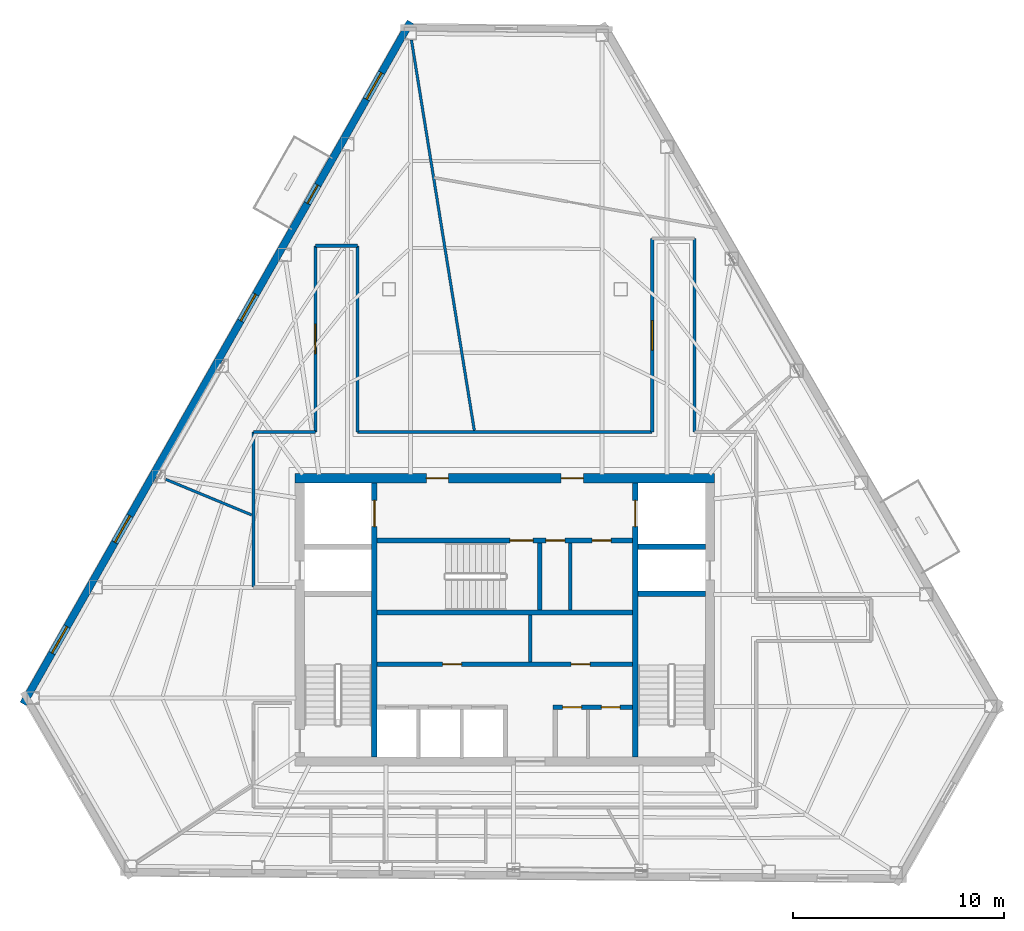
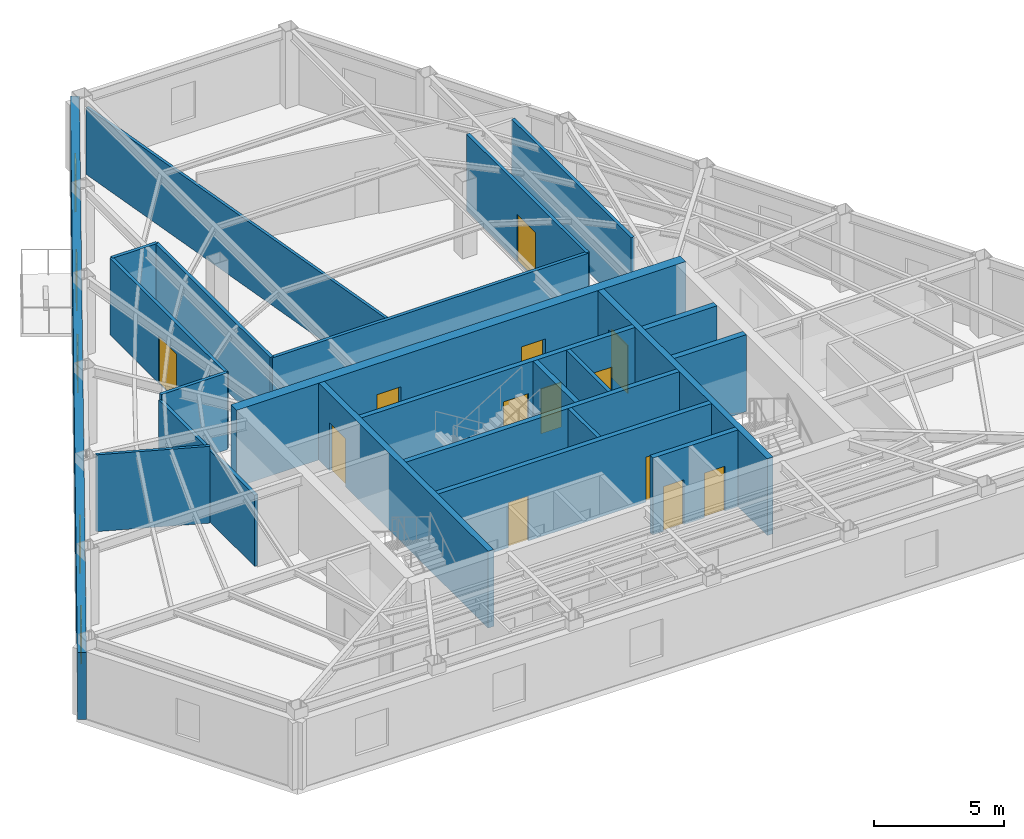
# One storey, part 6 of 9: 23 walls, 14 doors, 4 windows, 18 openings.
"""IFC4 building model written with IfcOpenShell, lengths in metres."""

from ifc_helpers import new_model, si_unit, direction, frame, frame_2d, origin, place, context, subcontext, project, spatial, rectangle, extrude, material, layer, layer_set, type_object, element, fill, save


model = new_model("IFC4")

# Units and contexts
model_context = context("Model", 3, precision=1e-05, world=origin(), true_north=direction((0.0, 1.0)))
body_context = subcontext(model_context, "Body", "Model", "MODEL_VIEW")
ifc_project = project(units=[si_unit("LENGTHUNIT", "METRE"), si_unit("AREAUNIT", "SQUARE_METRE"), si_unit("VOLUMEUNIT", "CUBIC_METRE"), si_unit("PLANEANGLEUNIT", "RADIAN"), si_unit("MASSUNIT", "GRAM", prefix="KILO")], contexts=[model_context])

# Site, building, storey
site_placement = place(None, origin())
site = spatial("IfcSite", under=ifc_project, at=site_placement, CompositionType="ELEMENT")
building_placement = place(site_placement, origin())
building = spatial("IfcBuilding", under=site, at=building_placement, Name="Kavelnor Concourse Tower", CompositionType="ELEMENT")
storey_placement = place(building_placement, frame((0.0, 0.0, 176.550048828125)))
storey = spatial("IfcBuildingStorey", under=building, at=storey_placement, Name="L44", CompositionType="ELEMENT", Elevation=176.550048828125)

# Wall, openings, doors
ifc_material_1 = material(Name="Concrete C50/60", Category="concrete")
ifc_layer_1 = layer(ifc_material_1, 0.43994140625, Name="Concrete C50/60")
ifc_layer_set_1 = layer_set([ifc_layer_1], Name="Concrete C50/60")
wall_type_1 = type_object("IfcWallType", Name="WL-CORE-Z3-440", PredefinedType="SOLIDWALL", material=ifc_layer_set_1)
wall_1_placement = place(storey_placement, frame((28.0400390625, 22.820068359375, 0.0), z_axis=(0.0, 0.0, 1.0), x_axis=(1.0, 0.0, 0.0)))
wall_1 = element("IfcWall", 1, at=wall_1_placement, inside=storey, type_object=wall_type_1, Name="L44 Central Core North Shear Wall", PredefinedType="SOLIDWALL", context=body_context, shape_type="SweptSolid", body=[
    extrude(rectangle(XDim=19.919921875, YDim=0.43994140625, at=frame_2d((9.9599609375, 0.0))), origin(), (0.0, 0.0, 1.0), 3.599853515625),
])
opening_1_placement = place(wall_1_placement, frame((6.235107421875, 0.0, 0.0)))
opening_1 = element("IfcOpeningElement", 2, at=opening_1_placement, cuts=wall_1, Name="Opening FD-105", PredefinedType="OPENING", context=body_context, shape_type="SweptSolid", body=[
    extrude(rectangle(XDim=1.050048828125, YDim=2.14990234375, at=frame_2d((0.52490234375, 1.074951171875))), frame((0.0, 0.22998046875, 0.0), z_axis=(0.0, -1.0, 0.0), x_axis=(1.0, 0.0, 0.0)), (0.0, 0.0, 1.0), 0.4599609375),
])
opening_2_placement = place(wall_1_placement, frame((12.635009765625, 0.0, 0.0)))
opening_2 = element("IfcOpeningElement", 3, at=opening_2_placement, cuts=wall_1, Name="Opening FD-105", PredefinedType="OPENING", context=body_context, shape_type="SweptSolid", body=[
    extrude(rectangle(XDim=1.050048828125, YDim=2.14990234375, at=frame_2d((0.52490234375, 1.074951171875))), frame((0.0, 0.22998046875, 0.0), z_axis=(0.0, -1.0, 0.0), x_axis=(1.0, 0.0, 0.0)), (0.0, 0.0, 1.0), 0.4599609375),
])
ifc_material_2 = material(Name="Steel Grade 350", Category="steel")
door_type_1 = type_object("IfcDoorType", Name="DR-LOBBY-FIRE-1050", OperationType="NOTDEFINED", PredefinedType="DOOR", material=ifc_material_2)
door_1_placement = place(opening_1_placement, origin())
door_1 = element("IfcDoor", 4, at=door_1_placement, inside=storey, type_object=door_type_1, Name="L44 Emergency Lift Lobby West Door", OperationType="SINGLE_SWING_LEFT", OverallHeight=2.14990234375, OverallWidth=1.050048828125, PredefinedType="DOOR", context=body_context, shape_type="SweptSolid", body=[
    extrude(rectangle(XDim=1.050048828125, YDim=2.14990234375, at=frame_2d((0.52490234375, 1.074951171875))), frame((0.0, 0.02490234375, 0.0), z_axis=(0.0, -1.0, 0.0), x_axis=(1.0, 0.0, 0.0)), (0.0, 0.0, 1.0), 0.050048828125),
])
fill(opening_1, door_1)
door_2_placement = place(opening_2_placement, origin())
door_2 = element("IfcDoor", 5, at=door_2_placement, inside=storey, type_object=door_type_1, Name="L44 Emergency Lift Lobby East Door", OperationType="SINGLE_SWING_RIGHT", OverallHeight=2.14990234375, OverallWidth=1.050048828125, PredefinedType="DOOR", context=body_context, shape_type="SweptSolid", body=[
    extrude(rectangle(XDim=1.050048828125, YDim=2.14990234375, at=frame_2d((0.52490234375, 1.074951171875))), frame((0.0, 0.02490234375, 0.0), z_axis=(0.0, -1.0, 0.0), x_axis=(1.0, 0.0, 0.0)), (0.0, 0.0, 1.0), 0.050048828125),
])
fill(opening_2, door_2)

# Wall, openings, door, windows
ifc_material_3 = material(Name="Red-ochre clay face brick masonry", Category="masonry")
ifc_layer_2 = layer(ifc_material_3, 0.35009765625, Name="Red-ochre clay face brick masonry")
ifc_layer_set_2 = layer_set([ifc_layer_2], Name="Red-ochre clay face brick masonry")
wall_type_2 = type_object("IfcWallType", Name="WL-EXT-RED-BRICK-PIER-350", PredefinedType="STANDARD", material=ifc_layer_set_2)
wall_2_placement = place(storey_placement, frame((15.130126953125, 12.109375, 0.0), z_axis=(0.0, 0.0, 1.0), x_axis=(0.493717133856, 0.869622557054, 0.0)))
wall_2 = element("IfcWall", 6, at=wall_2_placement, inside=storey, type_object=wall_type_2, Name="L44 Exterior Brick Facade Wall E1", PredefinedType="STANDARD", context=body_context, shape_type="SweptSolid", body=[
    extrude(rectangle(XDim=37.245361328125, YDim=0.35009765625, at=frame_2d((18.62255859375, 0.0))), origin(), (0.0, 0.0, 1.0), 3.1318359375),
])
opening_3_placement = place(wall_2_placement, frame((27.333984375, 0.0, 0.0)))
opening_3 = element("IfcOpeningElement", 7, at=opening_3_placement, cuts=wall_2, Name="Opening BD-100", PredefinedType="OPENING", context=body_context, shape_type="SweptSolid", body=[
    extrude(rectangle(XDim=1.0, YDim=2.199951171875, at=frame_2d((0.5, 1.10009765625))), frame((0.0, 0.18505859375, 0.0), z_axis=(0.0, -1.0, 0.0), x_axis=(1.0, 0.0, 0.0)), (0.0, 0.0, 1.0), 0.3701171875),
])
opening_4_placement = place(wall_2_placement, frame((33.01416015625, 0.0, 0.64990234375)))
opening_4 = element("IfcOpeningElement", 8, at=opening_4_placement, cuts=wall_2, Name="Opening W-03", PredefinedType="OPENING", context=body_context, shape_type="SweptSolid", body=[
    extrude(rectangle(XDim=1.449951171875, YDim=1.75, at=frame_2d((0.72509765625, 0.875))), frame((0.0, 0.18505859375, 0.0), z_axis=(0.0, -1.0, 0.0), x_axis=(1.0, 0.0, 0.0)), (0.0, 0.0, 1.0), 0.3701171875),
])
opening_5_placement = place(wall_2_placement, frame((20.918212890625, 0.0, 0.64990234375)))
opening_5 = element("IfcOpeningElement", 9, at=opening_5_placement, cuts=wall_2, Name="Opening W-03", PredefinedType="OPENING", context=body_context, shape_type="SweptSolid", body=[
    extrude(rectangle(XDim=1.449951171875, YDim=1.75, at=frame_2d((0.72509765625, 0.875))), frame((0.0, 0.18505859375, 0.0), z_axis=(0.0, -1.0, 0.0), x_axis=(1.0, 0.0, 0.0)), (0.0, 0.0, 1.0), 0.3701171875),
])
opening_6_placement = place(wall_2_placement, frame((8.822265625, 0.0, 0.64990234375)))
opening_6 = element("IfcOpeningElement", 10, at=opening_6_placement, cuts=wall_2, Name="Opening W-03", PredefinedType="OPENING", context=body_context, shape_type="SweptSolid", body=[
    extrude(rectangle(XDim=1.449951171875, YDim=1.75, at=frame_2d((0.72509765625, 0.875))), frame((0.0, 0.18505859375, 0.0), z_axis=(0.0, -1.0, 0.0), x_axis=(1.0, 0.0, 0.0)), (0.0, 0.0, 1.0), 0.3701171875),
])
opening_7_placement = place(wall_2_placement, frame((2.774169921875, 0.0, 0.64990234375)))
opening_7 = element("IfcOpeningElement", 11, at=opening_7_placement, cuts=wall_2, Name="Opening W-03", PredefinedType="OPENING", context=body_context, shape_type="SweptSolid", body=[
    extrude(rectangle(XDim=1.449951171875, YDim=1.75, at=frame_2d((0.72509765625, 0.875))), frame((0.0, 0.18505859375, 0.0), z_axis=(0.0, -1.0, 0.0), x_axis=(1.0, 0.0, 0.0)), (0.0, 0.0, 1.0), 0.3701171875),
])
ifc_material_4 = material(Name="Anodised aluminium 6063-T6", Category="aluminium")
door_type_2 = type_object("IfcDoorType", Name="DR-BALCONY-EXT-1000", OperationType="NOTDEFINED", PredefinedType="DOOR", material=ifc_material_4)
door_3_placement = place(opening_3_placement, origin())
door_3 = element("IfcDoor", 12, at=door_3_placement, inside=storey, type_object=door_type_2, Name="L44 Tree Balcony 2 Glazed Door", OperationType="SINGLE_SWING_RIGHT", OverallHeight=2.199951171875, OverallWidth=1.0, PredefinedType="DOOR", context=body_context, shape_type="SweptSolid", body=[
    extrude(rectangle(XDim=1.0, YDim=2.199951171875, at=frame_2d((0.5, 1.10009765625))), frame((0.0, 0.02490234375, 0.0), z_axis=(0.0, -1.0, 0.0), x_axis=(1.0, 0.0, 0.0)), (0.0, 0.0, 1.0), 0.050048828125),
])
fill(opening_3, door_3)
ifc_material_5 = material(Name="Double low-E argon insulated glazing", Category="glass")
window_type = type_object("IfcWindowType", Name="WIN-PIER-Z3-1500", PartitioningType="SINGLE_PANEL", PredefinedType="WINDOW", material=ifc_material_5)
window_1_placement = place(opening_4_placement, origin())
window_1 = element("IfcWindow", 13, at=window_1_placement, inside=storey, type_object=window_type, Name="L44 Deep-Set Brick Pier Window F0-B0", OverallHeight=1.75, OverallWidth=1.449951171875, PartitioningType="SINGLE_PANEL", PredefinedType="WINDOW", context=body_context, shape_type="SweptSolid", body=[
    extrude(rectangle(XDim=1.449951171875, YDim=1.75, at=frame_2d((0.72509765625, 0.875))), frame((0.0, 0.030029296875, 0.0), z_axis=(0.0, -1.0, 0.0), x_axis=(1.0, 0.0, 0.0)), (0.0, 0.0, 1.0), 0.06005859375),
])
fill(opening_4, window_1)
window_2_placement = place(opening_5_placement, origin())
window_2 = element("IfcWindow", 14, at=window_2_placement, inside=storey, type_object=window_type, Name="L44 Deep-Set Brick Pier Window F0-B2", OverallHeight=1.75, OverallWidth=1.449951171875, PartitioningType="SINGLE_PANEL", PredefinedType="WINDOW", context=body_context, shape_type="SweptSolid", body=[
    extrude(rectangle(XDim=1.449951171875, YDim=1.75, at=frame_2d((0.72509765625, 0.875))), frame((0.0, 0.030029296875, 0.0), z_axis=(0.0, -1.0, 0.0), x_axis=(1.0, 0.0, 0.0)), (0.0, 0.0, 1.0), 0.06005859375),
])
fill(opening_5, window_2)
window_3_placement = place(opening_6_placement, origin())
window_3 = element("IfcWindow", 15, at=window_3_placement, inside=storey, type_object=window_type, Name="L44 Deep-Set Brick Pier Window F0-B4", OverallHeight=1.75, OverallWidth=1.449951171875, PartitioningType="SINGLE_PANEL", PredefinedType="WINDOW", context=body_context, shape_type="SweptSolid", body=[
    extrude(rectangle(XDim=1.449951171875, YDim=1.75, at=frame_2d((0.72509765625, 0.875))), frame((0.0, 0.030029296875, 0.0), z_axis=(0.0, -1.0, 0.0), x_axis=(1.0, 0.0, 0.0)), (0.0, 0.0, 1.0), 0.06005859375),
])
fill(opening_6, window_3)
window_4_placement = place(opening_7_placement, origin())
window_4 = element("IfcWindow", 16, at=window_4_placement, inside=storey, type_object=window_type, Name="L44 Deep-Set Brick Pier Window F0-B5", OverallHeight=1.75, OverallWidth=1.449951171875, PartitioningType="SINGLE_PANEL", PredefinedType="WINDOW", context=body_context, shape_type="SweptSolid", body=[
    extrude(rectangle(XDim=1.449951171875, YDim=1.75, at=frame_2d((0.72509765625, 0.875))), frame((0.0, 0.030029296875, 0.0), z_axis=(0.0, -1.0, 0.0), x_axis=(1.0, 0.0, 0.0)), (0.0, 0.0, 1.0), 0.06005859375),
])
fill(opening_7, window_4)

# Walls
ifc_material_6 = material(Name="Gypsum plasterboard on light-gauge steel studs", Category="steel")
ifc_layer_3 = layer(ifc_material_6, 0.14501953125, Name="Gypsum plasterboard on light-gauge steel studs")
ifc_layer_set_3 = layer_set([ifc_layer_3], Name="Gypsum plasterboard on light-gauge steel studs")
wall_type_3 = type_object("IfcWallType", Name="WL-INT-CORR-145", PredefinedType="PARTITIONING", material=ifc_layer_set_3)
wall_3_placement = place(storey_placement, frame((26.06005859375, 17.64990234375, 0.0), z_axis=(0.0, 0.0, 1.0), x_axis=(0.0, 1.0, 0.0)))
element("IfcWall", 17, at=wall_3_placement, inside=storey, type_object=wall_type_3, Name="L44 Corridor Wall WL-L44-CR-02", PredefinedType="PARTITIONING", context=body_context, shape_type="SweptSolid", body=[
    extrude(rectangle(XDim=7.3701171875, YDim=0.14501953125, at=frame_2d((3.68505859375, 0.0))), origin(), (0.0, 0.0, 1.0), 3.3388671875),
])
wall_4_placement = place(storey_placement, frame((26.06005859375, 25.02001953125, 0.0), z_axis=(0.0, 0.0, 1.0), x_axis=(1.0, 0.0, 0.0)))
element("IfcWall", 18, at=wall_4_placement, inside=storey, type_object=wall_type_3, Name="L44 Corridor Wall WL-L44-CR-03", PredefinedType="PARTITIONING", context=body_context, shape_type="SweptSolid", body=[
    extrude(rectangle(XDim=2.93994140625, YDim=0.14501953125, at=frame_2d((1.469970703125, 0.0))), origin(), (0.0, 0.0, 1.0), 3.599853515625),
])

# Wall, opening, door
wall_5_placement = place(storey_placement, frame((29.0, 25.02001953125, 0.0), z_axis=(0.0, 0.0, 1.0), x_axis=(0.0, 1.0, 0.0)))
wall_5 = element("IfcWall", 19, at=wall_5_placement, inside=storey, type_object=wall_type_3, Name="L44 Corridor Wall WL-L44-CR-04", PredefinedType="PARTITIONING", context=body_context, shape_type="SweptSolid", body=[
    extrude(rectangle(XDim=8.844482421875, YDim=0.14501953125, at=frame_2d((4.42236328125, 0.0))), origin(), (0.0, 0.0, 1.0), 3.599853515625),
])
opening_8_placement = place(wall_5_placement, frame((3.722412109375, 0.0, 0.0)))
opening_8 = element("IfcOpeningElement", 20, at=opening_8_placement, cuts=wall_5, Name="Opening SD-140", PredefinedType="OPENING", context=body_context, shape_type="SweptSolid", body=[
    extrude(rectangle(XDim=1.39990234375, YDim=2.199951171875, at=frame_2d((0.699951171875, 1.10009765625))), frame((0.0, 0.08251953125, 0.0), z_axis=(0.0, -1.0, 0.0), x_axis=(1.0, 0.0, 0.0)), (0.0, 0.0, 1.0), 0.1650390625),
])
ifc_material_7 = material(Name="Solid-core hardwood timber", Category="wood")
door_type_3 = type_object("IfcDoorType", Name="DR-SUITE-ENTRY-1400", OperationType="NOTDEFINED", PredefinedType="DOOR", material=ifc_material_7)
door_4_placement = place(opening_8_placement, origin())
door_4 = element("IfcDoor", 21, at=door_4_placement, inside=storey, type_object=door_type_3, Name="L44 Tenant Bookstore Retail Shop 03 Door", OperationType="SINGLE_SWING_RIGHT", OverallHeight=2.199951171875, OverallWidth=1.39990234375, PredefinedType="DOOR", context=body_context, shape_type="SweptSolid", body=[
    extrude(rectangle(XDim=1.39990234375, YDim=2.199951171875, at=frame_2d((0.699951171875, 1.10009765625))), frame((0.0, 0.02490234375, 0.0), z_axis=(0.0, -1.0, 0.0), x_axis=(1.0, 0.0, 0.0)), (0.0, 0.0, 1.0), 0.050048828125),
])
fill(opening_8, door_4)

# Walls
wall_6_placement = place(storey_placement, frame((29.0, 33.864501953125, 0.0), z_axis=(0.0, 0.0, 1.0), x_axis=(1.0, 0.0, 0.0)))
element("IfcWall", 22, at=wall_6_placement, inside=storey, type_object=wall_type_3, Name="L44 Corridor Wall WL-L44-CR-05", PredefinedType="PARTITIONING", context=body_context, shape_type="SweptSolid", body=[
    extrude(rectangle(XDim=2.0, YDim=0.14501953125, at=frame_2d((1.0, 0.0))), origin(), (0.0, 0.0, 1.0), 3.599853515625),
])
wall_7_placement = place(storey_placement, frame((31.0, 33.864501953125, 0.0), z_axis=(0.0, 0.0, 1.0), x_axis=(0.0, -1.0, 0.0)))
element("IfcWall", 23, at=wall_7_placement, inside=storey, type_object=wall_type_3, Name="L44 Corridor Wall WL-L44-CR-06", PredefinedType="PARTITIONING", context=body_context, shape_type="SweptSolid", body=[
    extrude(rectangle(XDim=8.844482421875, YDim=0.14501953125, at=frame_2d((4.42236328125, 0.0))), origin(), (0.0, 0.0, 1.0), 3.599853515625),
])
wall_8_placement = place(storey_placement, frame((31.0, 25.02001953125, 0.0), z_axis=(0.0, 0.0, 1.0), x_axis=(1.0, 0.0, 0.0)))
element("IfcWall", 24, at=wall_8_placement, inside=storey, type_object=wall_type_3, Name="L44 Corridor Wall WL-L44-CR-07", PredefinedType="PARTITIONING", context=body_context, shape_type="SweptSolid", body=[
    extrude(rectangle(XDim=14.0, YDim=0.14501953125, at=frame_2d((7.0, 0.0))), origin(), (0.0, 0.0, 1.0), 3.599853515625),
])

# Wall, opening, door
wall_9_placement = place(storey_placement, frame((45.0, 25.02001953125, 0.0), z_axis=(0.0, 0.0, 1.0), x_axis=(0.0, 1.0, 0.0)))
wall_9 = element("IfcWall", 25, at=wall_9_placement, inside=storey, type_object=wall_type_3, Name="L44 Corridor Wall WL-L44-CR-08", PredefinedType="PARTITIONING", context=body_context, shape_type="SweptSolid", body=[
    extrude(rectangle(XDim=9.179443359375, YDim=0.14501953125, at=frame_2d((4.58984375, 0.0))), origin(), (0.0, 0.0, 1.0), 3.599853515625),
])
opening_9_placement = place(wall_9_placement, frame((3.8896484375, 0.0, 0.0)))
opening_9 = element("IfcOpeningElement", 26, at=opening_9_placement, cuts=wall_9, Name="Opening SD-140", PredefinedType="OPENING", context=body_context, shape_type="SweptSolid", body=[
    extrude(rectangle(XDim=1.39990234375, YDim=2.199951171875, at=frame_2d((0.699951171875, 1.10009765625))), frame((0.0, 0.08251953125, 0.0), z_axis=(0.0, -1.0, 0.0), x_axis=(1.0, 0.0, 0.0)), (0.0, 0.0, 1.0), 0.1650390625),
])
door_5_placement = place(opening_9_placement, origin())
door_5 = element("IfcDoor", 27, at=door_5_placement, inside=storey, type_object=door_type_3, Name="L44 Workplace Open Office 01 Door", OperationType="SINGLE_SWING_RIGHT", OverallHeight=2.199951171875, OverallWidth=1.39990234375, PredefinedType="DOOR", context=body_context, shape_type="SweptSolid", body=[
    extrude(rectangle(XDim=1.39990234375, YDim=2.199951171875, at=frame_2d((0.699951171875, 1.10009765625))), frame((0.0, 0.02490234375, 0.0), z_axis=(0.0, -1.0, 0.0), x_axis=(1.0, 0.0, 0.0)), (0.0, 0.0, 1.0), 0.050048828125),
])
fill(opening_9, door_5)

# Walls
wall_10_placement = place(storey_placement, frame((47.0, 34.199462890625, 0.0), z_axis=(0.0, 0.0, 1.0), x_axis=(0.0, -1.0, 0.0)))
element("IfcWall", 28, at=wall_10_placement, inside=storey, type_object=wall_type_3, Name="L44 Corridor Wall WL-L44-CR-10", PredefinedType="PARTITIONING", context=body_context, shape_type="SweptSolid", body=[
    extrude(rectangle(XDim=9.179443359375, YDim=0.14501953125, at=frame_2d((4.58984375, 0.0))), origin(), (0.0, 0.0, 1.0), 3.599853515625),
])
ifc_layer_4 = layer(ifc_material_6, 0.1650390625, Name="Gypsum plasterboard on light-gauge steel studs")
ifc_layer_set_4 = layer_set([ifc_layer_4], Name="Gypsum plasterboard on light-gauge steel studs")
wall_type_4 = type_object("IfcWallType", Name="WL-INT-FIRE-165", PredefinedType="PARTITIONING", material=ifc_layer_set_4)
wall_11_placement = place(storey_placement, frame((39.199951171875, 14.10009765625, 0.0), z_axis=(0.0, 0.0, 1.0), x_axis=(0.0, 1.0, 0.0)))
element("IfcWall", 29, at=wall_11_placement, inside=storey, type_object=wall_type_4, Name="L44 Reclaimed Core Partition C", PredefinedType="PARTITIONING", context=body_context, shape_type="SweptSolid", body=[
    extrude(rectangle(XDim=2.239990234375, YDim=0.1650390625, at=frame_2d((1.1201171875, 0.0))), origin(), (0.0, 0.0, 1.0), 3.599853515625),
])
wall_12_placement = place(storey_placement, frame((41.10009765625, 16.56005859375, 0.0), z_axis=(0.0, 0.0, 1.0), x_axis=(0.0, 1.0, 0.0)))
element("IfcWall", 30, at=wall_12_placement, inside=storey, type_object=wall_type_4, Name="L44 Core Support West Divider", PredefinedType="PARTITIONING", context=body_context, shape_type="SweptSolid", body=[
    extrude(rectangle(XDim=3.199951171875, YDim=0.1650390625, at=frame_2d((1.60009765625, 0.0))), origin(), (0.0, 0.0, 1.0), 3.599853515625),
])
ifc_layer_5 = layer(ifc_material_6, 0.125, Name="Gypsum plasterboard on light-gauge steel studs")
ifc_layer_set_5 = layer_set([ifc_layer_5], Name="Gypsum plasterboard on light-gauge steel studs")
wall_type_5 = type_object("IfcWallType", Name="WL-INT-SUITE-125", PredefinedType="PARTITIONING", material=ifc_layer_set_5)
wall_13_placement = place(storey_placement, frame((36.550537109375, 25.1005859375, 0.0), z_axis=(0.0, 0.0, 1.0), x_axis=(-0.159007186036, 0.987277425443, 0.0)))
element("IfcWall", 31, at=wall_13_placement, inside=storey, type_object=wall_type_5, Name="L44 Radial Suite Partition 02", PredefinedType="PARTITIONING", context=body_context, shape_type="SweptSolid", body=[
    extrude(rectangle(XDim=18.7763671875, YDim=0.125, at=frame_2d((9.38818359375, 0.0))), origin(), (0.0, 0.0, 1.0), 3.140869140625),
])
wall_14_placement = place(storey_placement, frame((25.9794921875, 21.08154296875, 0.0), z_axis=(0.0, 0.0, 1.0), x_axis=(-0.923827478878, 0.382809076785, 0.0)))
element("IfcWall", 32, at=wall_14_placement, inside=storey, type_object=wall_type_5, Name="L44 Radial Suite Partition 03", PredefinedType="PARTITIONING", context=body_context, shape_type="SweptSolid", body=[
    extrude(rectangle(XDim=4.41650390625, YDim=0.125, at=frame_2d((2.208251953125, 0.0))), origin(), (0.0, 0.0, 1.0), 3.599853515625),
])

# Wall, openings, doors
ifc_layer_6 = layer(ifc_material_1, 0.219970703125, Name="Concrete C50/60")
ifc_layer_set_6 = layer_set([ifc_layer_6], Name="Concrete C50/60")
wall_type_6 = type_object("IfcWallType", Name="WL-SHAFT-220", PredefinedType="SOLIDWALL", material=ifc_layer_set_6)
wall_15_placement = place(storey_placement, frame((31.93994140625, 19.8701171875, 0.0), z_axis=(0.0, 0.0, 1.0), x_axis=(1.0, 0.0, 0.0)))
wall_15 = element("IfcWall", 33, at=wall_15_placement, inside=storey, type_object=wall_type_6, Name="L44 Emergency Lift Lobby South Wall", PredefinedType="SOLIDWALL", context=body_context, shape_type="SweptSolid", body=[
    extrude(rectangle(XDim=12.1201171875, YDim=0.219970703125, at=frame_2d((6.06005859375, 0.0))), origin(), (0.0, 0.0, 1.0), 3.599853515625),
])
opening_10_placement = place(wall_15_placement, frame((6.300048828125, 0.0, 0.0)))
opening_10 = element("IfcOpeningElement", 34, at=opening_10_placement, cuts=wall_15, Name="Opening FD-110", PredefinedType="OPENING", context=body_context, shape_type="SweptSolid", body=[
    extrude(rectangle(XDim=1.10009765625, YDim=2.14990234375, at=frame_2d((0.550048828125, 1.074951171875))), frame((0.0, 0.1201171875, 0.0), z_axis=(0.0, -1.0, 0.0), x_axis=(1.0, 0.0, 0.0)), (0.0, 0.0, 1.0), 0.239990234375),
])
opening_11_placement = place(wall_15_placement, frame((8.010009765625, 0.0, 0.0)))
opening_11 = element("IfcOpeningElement", 35, at=opening_11_placement, cuts=wall_15, Name="Opening FD-090", PredefinedType="OPENING", context=body_context, shape_type="SweptSolid", body=[
    extrude(rectangle(XDim=0.89990234375, YDim=2.10009765625, at=frame_2d((0.449951171875, 1.050048828125))), frame((0.0, 0.1201171875, 0.0), z_axis=(0.0, -1.0, 0.0), x_axis=(1.0, 0.0, 0.0)), (0.0, 0.0, 1.0), 0.239990234375),
])
opening_12_placement = place(wall_15_placement, frame((10.2099609375, 0.0, 0.0)))
opening_12 = element("IfcOpeningElement", 36, at=opening_12_placement, cuts=wall_15, Name="Opening FD-090", PredefinedType="OPENING", context=body_context, shape_type="SweptSolid", body=[
    extrude(rectangle(XDim=0.89990234375, YDim=2.10009765625, at=frame_2d((0.449951171875, 1.050048828125))), frame((0.0, 0.1201171875, 0.0), z_axis=(0.0, -1.0, 0.0), x_axis=(1.0, 0.0, 0.0)), (0.0, 0.0, 1.0), 0.239990234375),
])
door_type_4 = type_object("IfcDoorType", Name="DR-RISER-FIRE-900", OperationType="NOTDEFINED", PredefinedType="DOOR", material=ifc_material_2)
door_6_placement = place(opening_11_placement, origin())
door_6 = element("IfcDoor", 37, at=door_6_placement, inside=storey, type_object=door_type_4, Name="L44 Cleaner Door", OperationType="SINGLE_SWING_RIGHT", OverallHeight=2.10009765625, OverallWidth=0.89990234375, PredefinedType="DOOR", context=body_context, shape_type="SweptSolid", body=[
    extrude(rectangle(XDim=0.89990234375, YDim=2.10009765625, at=frame_2d((0.449951171875, 1.050048828125))), frame((0.0, 0.02490234375, 0.0), z_axis=(0.0, -1.0, 0.0), x_axis=(1.0, 0.0, 0.0)), (0.0, 0.0, 1.0), 0.050048828125),
])
fill(opening_11, door_6)
door_7_placement = place(opening_12_placement, origin())
door_7 = element("IfcDoor", 38, at=door_7_placement, inside=storey, type_object=door_type_4, Name="L44 UPS Room Door", OperationType="SINGLE_SWING_LEFT", OverallHeight=2.10009765625, OverallWidth=0.89990234375, PredefinedType="DOOR", context=body_context, shape_type="SweptSolid", body=[
    extrude(rectangle(XDim=0.89990234375, YDim=2.10009765625, at=frame_2d((0.449951171875, 1.050048828125))), frame((0.0, 0.02490234375, 0.0), z_axis=(0.0, -1.0, 0.0), x_axis=(1.0, 0.0, 0.0)), (0.0, 0.0, 1.0), 0.050048828125),
])
fill(opening_12, door_7)
door_type_5 = type_object("IfcDoorType", Name="DR-STAIR-FIRE-1100", OperationType="NOTDEFINED", PredefinedType="DOOR", material=ifc_material_2)
door_8_placement = place(opening_10_placement, origin())
door_8 = element("IfcDoor", 39, at=door_8_placement, inside=storey, type_object=door_type_5, Name="L44 Stair ST3 Fire Door", OperationType="SINGLE_SWING_LEFT", OverallHeight=2.14990234375, OverallWidth=1.10009765625, PredefinedType="DOOR", context=body_context, shape_type="SweptSolid", body=[
    extrude(rectangle(XDim=1.10009765625, YDim=2.14990234375, at=frame_2d((0.550048828125, 1.074951171875))), frame((0.0, 0.02490234375, 0.0), z_axis=(0.0, -1.0, 0.0), x_axis=(1.0, 0.0, 0.0)), (0.0, 0.0, 1.0), 0.050048828125),
])
fill(opening_10, door_8)

# Walls
wall_16_placement = place(storey_placement, frame((31.93994140625, 16.449951171875, 0.0), z_axis=(0.0, 0.0, 1.0), x_axis=(1.0, 0.0, 0.0)))
element("IfcWall", 40, at=wall_16_placement, inside=storey, type_object=wall_type_6, Name="L44 Stair ST3 South Core Wall", PredefinedType="SOLIDWALL", context=body_context, shape_type="SweptSolid", body=[
    extrude(rectangle(XDim=12.1201171875, YDim=0.219970703125, at=frame_2d((6.06005859375, 0.0))), origin(), (0.0, 0.0, 1.0), 3.599853515625),
])
wall_17_placement = place(storey_placement, frame((39.64990234375, 16.56005859375, 0.0), z_axis=(0.0, 0.0, 1.0), x_axis=(0.0, 1.0, 0.0)))
element("IfcWall", 41, at=wall_17_placement, inside=storey, type_object=wall_type_6, Name="L44 Stair ST3 East Core Wall", PredefinedType="SOLIDWALL", context=body_context, shape_type="SweptSolid", body=[
    extrude(rectangle(XDim=3.199951171875, YDim=0.219970703125, at=frame_2d((1.60009765625, 0.0))), origin(), (0.0, 0.0, 1.0), 3.599853515625),
])

# Wall, openings, doors
wall_18_placement = place(storey_placement, frame((31.93994140625, 13.989990234375, 0.0), z_axis=(0.0, 0.0, 1.0), x_axis=(1.0, 0.0, 0.0)))
wall_18 = element("IfcWall", 42, at=wall_18_placement, inside=storey, type_object=wall_type_6, Name="L44 North Lift Row Shaft Wall", PredefinedType="SOLIDWALL", context=body_context, shape_type="SweptSolid", body=[
    extrude(rectangle(XDim=12.1201171875, YDim=0.219970703125, at=frame_2d((6.06005859375, 0.0))), origin(), (0.0, 0.0, 1.0), 3.599853515625),
])
opening_13_placement = place(wall_18_placement, frame((3.110107421875, 0.0, 0.0)))
opening_13 = element("IfcOpeningElement", 43, at=opening_13_placement, cuts=wall_18, Name="Opening FD-090", PredefinedType="OPENING", context=body_context, shape_type="SweptSolid", body=[
    extrude(rectangle(XDim=0.89990234375, YDim=2.10009765625, at=frame_2d((0.449951171875, 1.050048828125))), frame((0.0, 0.1201171875, 0.0), z_axis=(0.0, -1.0, 0.0), x_axis=(1.0, 0.0, 0.0)), (0.0, 0.0, 1.0), 0.239990234375),
])
opening_14_placement = place(wall_18_placement, frame((9.2099609375, 0.0, 0.0)))
opening_14 = element("IfcOpeningElement", 44, at=opening_14_placement, cuts=wall_18, Name="Opening FD-090", PredefinedType="OPENING", context=body_context, shape_type="SweptSolid", body=[
    extrude(rectangle(XDim=0.89990234375, YDim=2.10009765625, at=frame_2d((0.449951171875, 1.050048828125))), frame((0.0, 0.1201171875, 0.0), z_axis=(0.0, -1.0, 0.0), x_axis=(1.0, 0.0, 0.0)), (0.0, 0.0, 1.0), 0.239990234375),
])
door_9_placement = place(opening_13_placement, origin())
door_9 = element("IfcDoor", 45, at=door_9_placement, inside=storey, type_object=door_type_4, Name="L44 Lounge Pantry Door", OperationType="SINGLE_SWING_LEFT", OverallHeight=2.10009765625, OverallWidth=0.89990234375, PredefinedType="DOOR", context=body_context, shape_type="SweptSolid", body=[
    extrude(rectangle(XDim=0.89990234375, YDim=2.10009765625, at=frame_2d((0.449951171875, 1.050048828125))), frame((0.0, 0.02490234375, 0.0), z_axis=(0.0, -1.0, 0.0), x_axis=(1.0, 0.0, 0.0)), (0.0, 0.0, 1.0), 0.050048828125),
])
fill(opening_13, door_9)
door_10_placement = place(opening_14_placement, origin())
door_10 = element("IfcDoor", 46, at=door_10_placement, inside=storey, type_object=door_type_4, Name="L44 Facilities Store Door", OperationType="SINGLE_SWING_RIGHT", OverallHeight=2.10009765625, OverallWidth=0.89990234375, PredefinedType="DOOR", context=body_context, shape_type="SweptSolid", body=[
    extrude(rectangle(XDim=0.89990234375, YDim=2.10009765625, at=frame_2d((0.449951171875, 1.050048828125))), frame((0.0, 0.02490234375, 0.0), z_axis=(0.0, -1.0, 0.0), x_axis=(1.0, 0.0, 0.0)), (0.0, 0.0, 1.0), 0.050048828125),
])
fill(opening_14, door_10)

wall_19_placement = place(storey_placement, frame((40.280029296875, 11.949951171875, 0.0), z_axis=(0.0, 0.0, 1.0), x_axis=(1.0, 0.0, 0.0)))
wall_19 = element("IfcWall", 47, at=wall_19_placement, inside=storey, type_object=wall_type_6, Name="L44 Core South Support North Wall", PredefinedType="SOLIDWALL", context=body_context, shape_type="SweptSolid", body=[
    extrude(rectangle(XDim=3.780029296875, YDim=0.219970703125, at=frame_2d((1.89013671875, 0.0))), origin(), (0.0, 0.0, 1.0), 3.599853515625),
])
opening_15_placement = place(wall_19_placement, frame((0.469970703125, 0.0, 0.0)))
opening_15 = element("IfcOpeningElement", 48, at=opening_15_placement, cuts=wall_19, Name="Opening FD-090", PredefinedType="OPENING", context=body_context, shape_type="SweptSolid", body=[
    extrude(rectangle(XDim=0.89990234375, YDim=2.10009765625, at=frame_2d((0.449951171875, 1.050048828125))), frame((0.0, 0.1201171875, 0.0), z_axis=(0.0, -1.0, 0.0), x_axis=(1.0, 0.0, 0.0)), (0.0, 0.0, 1.0), 0.239990234375),
])
opening_16_placement = place(wall_19_placement, frame((2.300048828125, 0.0, 0.0)))
opening_16 = element("IfcOpeningElement", 49, at=opening_16_placement, cuts=wall_19, Name="Opening FD-090", PredefinedType="OPENING", context=body_context, shape_type="SweptSolid", body=[
    extrude(rectangle(XDim=0.89990234375, YDim=2.10009765625, at=frame_2d((0.449951171875, 1.050048828125))), frame((0.0, 0.1201171875, 0.0), z_axis=(0.0, -1.0, 0.0), x_axis=(1.0, 0.0, 0.0)), (0.0, 0.0, 1.0), 0.239990234375),
])
door_11_placement = place(opening_15_placement, origin())
door_11 = element("IfcDoor", 50, at=door_11_placement, inside=storey, type_object=door_type_4, Name="L44 Staff WC Door", OperationType="SINGLE_SWING_LEFT", OverallHeight=2.10009765625, OverallWidth=0.89990234375, PredefinedType="DOOR", context=body_context, shape_type="SweptSolid", body=[
    extrude(rectangle(XDim=0.89990234375, YDim=2.10009765625, at=frame_2d((0.449951171875, 1.050048828125))), frame((0.0, 0.02490234375, 0.0), z_axis=(0.0, -1.0, 0.0), x_axis=(1.0, 0.0, 0.0)), (0.0, 0.0, 1.0), 0.050048828125),
])
fill(opening_15, door_11)
door_12_placement = place(opening_16_placement, origin())
door_12 = element("IfcDoor", 51, at=door_12_placement, inside=storey, type_object=door_type_4, Name="L44 Core Comms Door", OperationType="SINGLE_SWING_RIGHT", OverallHeight=2.10009765625, OverallWidth=0.89990234375, PredefinedType="DOOR", context=body_context, shape_type="SweptSolid", body=[
    extrude(rectangle(XDim=0.89990234375, YDim=2.10009765625, at=frame_2d((0.449951171875, 1.050048828125))), frame((0.0, 0.02490234375, 0.0), z_axis=(0.0, -1.0, 0.0), x_axis=(1.0, 0.0, 0.0)), (0.0, 0.0, 1.0), 0.050048828125),
])
fill(opening_16, door_12)

# Wall, opening, door
ifc_layer_7 = layer(ifc_material_1, 0.260009765625, Name="Concrete C50/60")
ifc_layer_set_7 = layer_set([ifc_layer_7], Name="Concrete C50/60")
wall_type_7 = type_object("IfcWallType", Name="WL-SHAFT-260", PredefinedType="SHEAR", material=ifc_layer_set_7)
wall_20_placement = place(storey_placement, frame((31.81005859375, 9.60009765625, 0.0), z_axis=(0.0, 0.0, 1.0), x_axis=(0.0, 1.0, 0.0)))
wall_20 = element("IfcWall", 52, at=wall_20_placement, inside=storey, type_object=wall_type_7, Name="L44 Core West Wing Shear Wall", PredefinedType="SHEAR", context=body_context, shape_type="SweptSolid", body=[
    extrude(rectangle(XDim=13.0, YDim=0.260009765625, at=frame_2d((6.5, 0.0))), origin(), (0.0, 0.0, 1.0), 3.599853515625),
])
opening_17_placement = place(wall_20_placement, frame((10.925048828125, 0.0, 0.0)))
opening_17 = element("IfcOpeningElement", 53, at=opening_17_placement, cuts=wall_20, Name="Opening LD-125", PredefinedType="OPENING", context=body_context, shape_type="SweptSolid", body=[
    extrude(rectangle(XDim=1.25, YDim=2.25, at=frame_2d((0.625, 1.125))), frame((0.0, 0.14013671875, 0.0), z_axis=(0.0, -1.0, 0.0), x_axis=(1.0, 0.0, 0.0)), (0.0, 0.0, 1.0), 0.280029296875),
])
door_type_6 = type_object("IfcDoorType", Name="DR-LIFT-SLIDING-1250", OperationType="NOTDEFINED", PredefinedType="DOOR", material=ifc_material_2)
door_13_placement = place(opening_17_placement, origin())
door_13 = element("IfcDoor", 54, at=door_13_placement, inside=storey, type_object=door_type_6, Name="L44 Emergency Lift FL1 Landing Door", OperationType="DOUBLE_DOOR_SLIDING", OverallHeight=2.25, OverallWidth=1.25, PredefinedType="DOOR", context=body_context, shape_type="SweptSolid", body=[
    extrude(rectangle(XDim=1.25, YDim=2.25, at=frame_2d((0.625, 1.125))), frame((0.0, 0.02490234375, 0.0), z_axis=(0.0, -1.0, 0.0), x_axis=(1.0, 0.0, 0.0)), (0.0, 0.0, 1.0), 0.050048828125),
])
fill(opening_17, door_13)

wall_21_placement = place(storey_placement, frame((44.18994140625, 9.60009765625, 0.0), z_axis=(0.0, 0.0, 1.0), x_axis=(0.0, 1.0, 0.0)))
wall_21 = element("IfcWall", 55, at=wall_21_placement, inside=storey, type_object=wall_type_7, Name="L44 Core East Wing Shear Wall", PredefinedType="SHEAR", context=body_context, shape_type="SweptSolid", body=[
    extrude(rectangle(XDim=13.0, YDim=0.260009765625, at=frame_2d((6.5, 0.0))), origin(), (0.0, 0.0, 1.0), 3.599853515625),
])
opening_18_placement = place(wall_21_placement, frame((10.925048828125, 0.0, 0.0)))
opening_18 = element("IfcOpeningElement", 56, at=opening_18_placement, cuts=wall_21, Name="Opening LD-125", PredefinedType="OPENING", context=body_context, shape_type="SweptSolid", body=[
    extrude(rectangle(XDim=1.25, YDim=2.25, at=frame_2d((0.625, 1.125))), frame((0.0, 0.14013671875, 0.0), z_axis=(0.0, -1.0, 0.0), x_axis=(1.0, 0.0, 0.0)), (0.0, 0.0, 1.0), 0.280029296875),
])
door_14_placement = place(opening_18_placement, origin())
door_14 = element("IfcDoor", 57, at=door_14_placement, inside=storey, type_object=door_type_6, Name="L44 Emergency Lift FL2 Landing Door", OperationType="DOUBLE_DOOR_SLIDING", OverallHeight=2.25, OverallWidth=1.25, PredefinedType="DOOR", context=body_context, shape_type="SweptSolid", body=[
    extrude(rectangle(XDim=1.25, YDim=2.25, at=frame_2d((0.625, 1.125))), frame((0.0, 0.02490234375, 0.0), z_axis=(0.0, -1.0, 0.0), x_axis=(1.0, 0.0, 0.0)), (0.0, 0.0, 1.0), 0.050048828125),
])
fill(opening_18, door_14)

# Walls
for number, where, z_axis, x_axis, name in (
    (58, (44.320068359375, 17.330078125, 0.0), (0.0, 0.0, 1.0), (1.0, 0.0, 0.0), "L44 Stair ST2 North Shaft Wall"),
    (59, (44.320068359375, 19.570068359375, 0.0), (0.0, 0.0, 1.0), (1.0, 0.0, 0.0), "L44 Emergency Lift FL2 South Shaft Wall"),
):
    element("IfcWall", number, at=place(storey_placement, frame(where, z_axis=z_axis, x_axis=x_axis)), inside=storey, type_object=wall_type_7, Name=name, PredefinedType="SHEAR", context=body_context, shape_type="SweptSolid", body=[
        extrude(rectangle(XDim=3.199951171875, YDim=0.260009765625, at=frame_2d((1.60009765625, 0.0))), origin(), (0.0, 0.0, 1.0), 3.599853515625),
    ])

save(model, "model.ifc")
